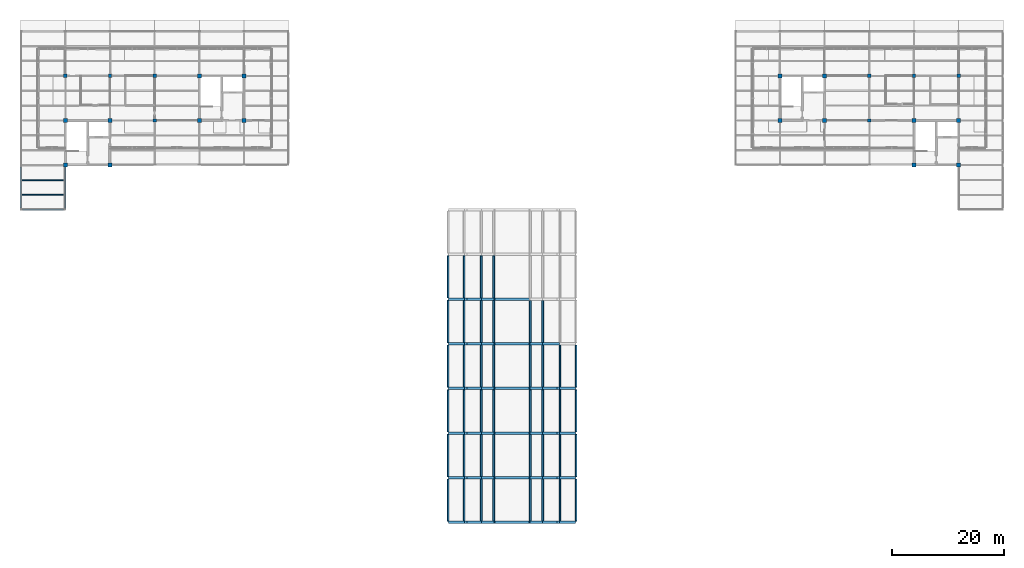
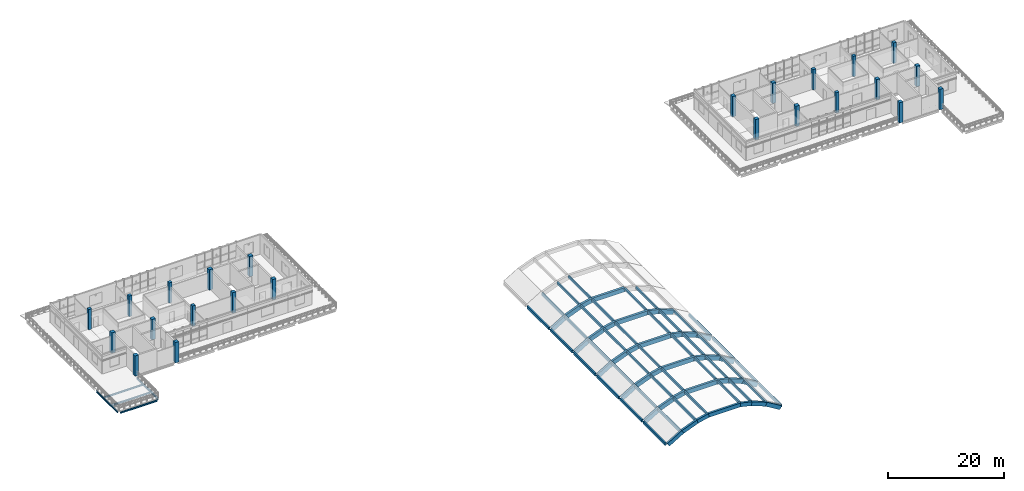
# One storey, part 1 of 24: 85 beams, 24 columns.
"""IFC4 building model written with IfcOpenShell, lengths in metres."""

from ifc_helpers import new_model, si_unit, derived_unit, direction, frame, origin, origin_2d, place, context, subcontext, project, spatial, rectangle, i_section, extrude, material, material_profile, profile_set, type_object, element, save


model = new_model("IFC4")

# Units and contexts
model_context = context("Model", 3, precision=1e-05, world=origin(), true_north=direction((0.0, 1.0)))
body_context = subcontext(model_context, "Body", "Model", "MODEL_VIEW")
ifc_project = project(units=[si_unit("LENGTHUNIT", "METRE"), si_unit("AREAUNIT", "SQUARE_METRE"), si_unit("VOLUMEUNIT", "CUBIC_METRE"), si_unit("PLANEANGLEUNIT", "RADIAN"), si_unit("MASSUNIT", "GRAM", prefix="KILO"), derived_unit("THERMALTRANSMITTANCEUNIT", [(si_unit("MASSUNIT", "GRAM", prefix="KILO"), 1), (si_unit("TIMEUNIT", "SECOND"), -3), (si_unit("THERMODYNAMICTEMPERATUREUNIT", "KELVIN"), -1)])], contexts=[model_context])

# Site, building, storey
site_placement = place(None, origin())
site = spatial("IfcSite", under=ifc_project, at=site_placement, CompositionType="ELEMENT")
building_placement = place(site_placement, origin())
building = spatial("IfcBuilding", under=site, at=building_placement, Name="Veyamyaing Civic Hall", CompositionType="ELEMENT")
storey_placement = place(building_placement, frame((0.0, 0.0, 25.739990234375)))
storey = spatial("IfcBuildingStorey", under=building, at=storey_placement, Name="L06", CompositionType="ELEMENT", Elevation=25.739990234375)

# Columns
ifc_material_1 = material(Name="Concrete C45/55", Category="concrete")
ifc_material_profile_1 = material_profile(ifc_material_1, rectangle(XDim=0.699951171875, YDim=0.699951171875, at=origin_2d()), Name="RC-COL-700X700")
ifc_profile_set_1 = profile_set([ifc_material_profile_1], Name="Concrete C45/55")
column_type_1 = type_object("IfcColumnType", Name="C-04", PredefinedType="COLUMN", material=ifc_profile_set_1)
for number, where, z_axis, x_axis, name in (
    (1, (8.0, 88.0, 0.0), (0.0, 0.0, 1.0), (1.0, 0.0, 0.0), "Column C-04 2-M L06"),
    (2, (8.0, 96.0, 0.0), (0.0, 0.0, 1.0), (1.0, 0.0, 0.0), "Column C-04 2-N L06"),
    (3, (16.0, 88.0, 0.0), (0.0, 0.0, 1.0), (1.0, 0.0, 0.0), "Column C-04 3-M L06"),
    (4, (16.0, 96.0, 0.0), (0.0, 0.0, 1.0), (1.0, 0.0, 0.0), "Column C-04 3-N L06"),
    (5, (32.0, 96.0, 0.0), (0.0, 0.0, 1.0), (1.0, 0.0, 0.0), "Column C-04 5-N L06"),
    (6, (32.0, 104.0, 0.0), (0.0, 0.0, 1.0), (1.0, 0.0, 0.0), "Column C-04 5-P L06"),
    (7, (40.0, 96.0, 0.0), (0.0, 0.0, 1.0), (1.0, 0.0, 0.0), "Column C-04 6-N L06"),
    (8, (40.0, 104.0, 0.0), (0.0, 0.0, 1.0), (1.0, 0.0, 0.0), "Column C-04 6-P L06"),
    (9, (136.0, 96.0, 0.0), (0.0, 0.0, 1.0), (1.0, 0.0, 0.0), "Column C-04 18-N L06"),
    (10, (136.0, 104.0, 0.0), (0.0, 0.0, 1.0), (1.0, 0.0, 0.0), "Column C-04 18-P L06"),
    (11, (144.0, 96.0, 0.0), (0.0, 0.0, 1.0), (1.0, 0.0, 0.0), "Column C-04 19-N L06"),
    (12, (144.0, 104.0, 0.0), (0.0, 0.0, 1.0), (1.0, 0.0, 0.0), "Column C-04 19-P L06"),
    (13, (160.0, 88.0, 0.0), (0.0, 0.0, 1.0), (1.0, 0.0, 0.0), "Column C-04 21-M L06"),
    (14, (160.0, 96.0, 0.0), (0.0, 0.0, 1.0), (1.0, 0.0, 0.0), "Column C-04 21-N L06"),
    (15, (168.0, 88.0, 0.0), (0.0, 0.0, 1.0), (1.0, 0.0, 0.0), "Column C-04 22-M L06"),
    (16, (168.0, 96.0, 0.0), (0.0, 0.0, 1.0), (1.0, 0.0, 0.0), "Column C-04 22-N L06"),
):
    element("IfcColumn", number, at=place(storey_placement, frame(where, z_axis=z_axis, x_axis=x_axis)), inside=storey, type_object=column_type_1, Name=name, PredefinedType="COLUMN", context=body_context, shape_type="SweptSolid", body=[
        extrude(rectangle(XDim=0.699951171875, YDim=0.699951171875, at=origin_2d()), origin(), (0.0, 0.0, 1.0), 4.2900390625),
    ])
ifc_material_profile_2 = material_profile(ifc_material_1, rectangle(XDim=0.60009765625, YDim=0.60009765625, at=origin_2d()), Name="RC-COL-600X600")
ifc_profile_set_2 = profile_set([ifc_material_profile_2], Name="Concrete C45/55")
column_type_2 = type_object("IfcColumnType", Name="C-06", PredefinedType="COLUMN", material=ifc_profile_set_2)
for number, where, z_axis, x_axis, name in (
    (17, (8.0, 104.0, 0.0), (0.0, 0.0, 1.0), (1.0, 0.0, 0.0), "Column C-06 2-P L06"),
    (18, (16.0, 104.0, 0.0), (0.0, 0.0, 1.0), (1.0, 0.0, 0.0), "Column C-06 3-P L06"),
    (19, (24.0, 96.0, 0.0), (0.0, 0.0, 1.0), (1.0, 0.0, 0.0), "Column C-06 4-N L06"),
    (20, (24.0, 104.0, 0.0), (0.0, 0.0, 1.0), (1.0, 0.0, 0.0), "Column C-06 4-P L06"),
    (21, (152.0, 96.0, 0.0), (0.0, 0.0, 1.0), (1.0, 0.0, 0.0), "Column C-06 20-N L06"),
    (22, (152.0, 104.0, 0.0), (0.0, 0.0, 1.0), (1.0, 0.0, 0.0), "Column C-06 20-P L06"),
    (23, (160.0, 104.0, 0.0), (0.0, 0.0, 1.0), (1.0, 0.0, 0.0), "Column C-06 21-P L06"),
    (24, (168.0, 104.0, 0.0), (0.0, 0.0, 1.0), (1.0, 0.0, 0.0), "Column C-06 22-P L06"),
):
    element("IfcColumn", number, at=place(storey_placement, frame(where, z_axis=z_axis, x_axis=x_axis)), inside=storey, type_object=column_type_2, Name=name, PredefinedType="COLUMN", context=body_context, shape_type="SweptSolid", body=[
        extrude(rectangle(XDim=0.60009765625, YDim=0.60009765625, at=origin_2d()), origin(), (0.0, 0.0, 1.0), 4.2900390625),
    ])

# Beams
ifc_material_2 = material(Name="Steel ASTM A992", Category="steel")
ifc_material_profile_3 = material_profile(ifc_material_2, i_section(OverallWidth=0.2041015625, OverallDepth=0.35009765625, WebThickness=0.0078125, FlangeThickness=0.01513671875, FilletRadius=0.010009765625, at=origin_2d()), Name="W360X72")
ifc_profile_set_3 = profile_set([ifc_material_profile_3], Name="Steel ASTM A992")
beam_type_1 = type_object("IfcBeamType", Name="B-11", PredefinedType="SPANDREL", material=ifc_profile_set_3)
for number, where, z_axis, x_axis, name in (
    (25, (0.300048828125, 80.0, -0.405029296875), (1.0, 0.0, 0.0), (0.0, 1.0, 0.0), "Girder B-11 L06 Grid L 1-2"),
    (26, (0.0, 80.300048828125, -0.405029296875), (0.0, 1.0, 0.0), (-1.0, 0.0, 0.0), "Girder B-11 L06 Grid 1 L-M"),
):
    element("IfcBeam", number, at=place(storey_placement, frame(where, z_axis=z_axis, x_axis=x_axis)), inside=storey, type_object=beam_type_1, Name=name, PredefinedType="SPANDREL", context=body_context, shape_type="SweptSolid", body=[
        extrude(i_section(OverallWidth=0.2041015625, OverallDepth=0.35009765625, WebThickness=0.0078125, FlangeThickness=0.01513671875, FilletRadius=0.010009765625, at=origin_2d()), origin(), (0.0, 0.0, 1.0), 7.39990234375),
    ])
ifc_material_profile_4 = material_profile(ifc_material_2, i_section(OverallWidth=0.180908203125, OverallDepth=0.4169921875, WebThickness=0.010986328125, FlangeThickness=0.018310546875, FilletRadius=0.010009765625, at=origin_2d()), Name="W410X85")
ifc_profile_set_4 = profile_set([ifc_material_profile_4], Name="Steel ASTM A992")
beam_type_2 = type_object("IfcBeamType", Name="B-19", PredefinedType="SPANDREL", material=ifc_profile_set_4)
beam_1_placement = place(storey_placement, frame((8.0, 80.300048828125, -0.4384765625), z_axis=(0.0, 1.0, 0.0), x_axis=(-1.0, 0.0, 0.0)))
element("IfcBeam", 27, at=beam_1_placement, inside=storey, type_object=beam_type_2, Name="Girder B-19 L06 Grid 2 L-M", PredefinedType="SPANDREL", context=body_context, shape_type="SweptSolid", body=[
    extrude(i_section(OverallWidth=0.180908203125, OverallDepth=0.4169921875, WebThickness=0.010986328125, FlangeThickness=0.018310546875, FilletRadius=0.010009765625, at=origin_2d()), origin(), (0.0, 0.0, 1.0), 7.349853515625),
])
ifc_material_profile_5 = material_profile(ifc_material_2, i_section(OverallWidth=0.172119140625, OverallDepth=0.35791015625, WebThickness=0.0078125, FlangeThickness=0.01318359375, FilletRadius=0.010009765625, at=origin_2d()), Name="W360X57")
ifc_profile_set_5 = profile_set([ifc_material_profile_5], Name="Steel ASTM A992")
beam_type_3 = type_object("IfcBeamType", Name="J-02", PredefinedType="JOIST", material=ifc_profile_set_5)
for number, where, z_axis, x_axis, name in (
    (28, (0.10009765625, 82.666748046875, -0.408935546875), (1.0, 0.0, 0.0), (0.0, 1.0, 0.0), "Composite floor joist J-02 L06 1.11.1"),
    (29, (0.10009765625, 85.333251953125, -0.408935546875), (1.0, 0.0, 0.0), (0.0, 1.0, 0.0), "Composite floor joist J-02 L06 1.11.2"),
):
    element("IfcBeam", number, at=place(storey_placement, frame(where, z_axis=z_axis, x_axis=x_axis)), inside=storey, type_object=beam_type_3, Name=name, PredefinedType="JOIST", context=body_context, shape_type="SweptSolid", body=[
        extrude(i_section(OverallWidth=0.172119140625, OverallDepth=0.35791015625, WebThickness=0.0078125, FlangeThickness=0.01318359375, FilletRadius=0.010009765625, at=origin_2d()), origin(), (0.0, 0.0, 1.0), 7.8115234375),
    ])
ifc_material_3 = material(Name="Concrete C40/50", Category="concrete")
ifc_material_profile_6 = material_profile(ifc_material_3, rectangle(XDim=0.300048828125, YDim=0.550048828125, at=origin_2d()), Name="RC-COFF-300X550")
ifc_profile_set_6 = profile_set([ifc_material_profile_6], Name="Concrete C40/50")
beam_type_4 = type_object("IfcBeamType", Name="VC-01", PredefinedType="BEAM", material=ifc_profile_set_6)
for number, where, z_axis, x_axis, name in (
    (30, (76.528564453125, 24.22998046875, 0.140380859375), (0.0, 1.0, 0.0), (-1.0, 0.0, 0.0), "Council Chamber Vault Coffer Rib VC-01 S2.B1"),
    (31, (76.528564453125, 32.22998046875, 0.140380859375), (0.0, 1.0, 0.0), (-1.0, 0.0, 0.0), "Council Chamber Vault Coffer Rib VC-01 S2.B2"),
    (32, (76.528564453125, 40.22998046875, 0.140380859375), (0.0, 1.0, 0.0), (-1.0, 0.0, 0.0), "Council Chamber Vault Coffer Rib VC-01 S2.B3"),
    (33, (76.528564453125, 48.22998046875, 0.140380859375), (0.0, 1.0, 0.0), (-1.0, 0.0, 0.0), "Council Chamber Vault Coffer Rib VC-01 S2.B4"),
    (34, (76.528564453125, 56.22998046875, 0.140380859375), (0.0, 1.0, 0.0), (-1.0, 0.0, 0.0), "Council Chamber Vault Coffer Rib VC-01 S2.B5"),
    (35, (76.528564453125, 64.22998046875, 0.140380859375), (0.0, 1.0, 0.0), (-1.0, 0.0, 0.0), "Council Chamber Vault Coffer Rib VC-01 S2.B6"),
    (36, (79.42138671875, 24.22998046875, 1.88232421875), (0.0, 1.0, 0.0), (-1.0, 0.0, 0.0), "Council Chamber Vault Coffer Rib VC-01 S3.B1"),
    (37, (79.42138671875, 32.22998046875, 1.88232421875), (0.0, 1.0, 0.0), (-1.0, 0.0, 0.0), "Council Chamber Vault Coffer Rib VC-01 S3.B2"),
    (38, (79.42138671875, 40.22998046875, 1.88232421875), (0.0, 1.0, 0.0), (-1.0, 0.0, 0.0), "Council Chamber Vault Coffer Rib VC-01 S3.B3"),
    (39, (79.42138671875, 48.22998046875, 1.88232421875), (0.0, 1.0, 0.0), (-1.0, 0.0, 0.0), "Council Chamber Vault Coffer Rib VC-01 S3.B4"),
    (40, (79.42138671875, 56.22998046875, 1.88232421875), (0.0, 1.0, 0.0), (-1.0, 0.0, 0.0), "Council Chamber Vault Coffer Rib VC-01 S3.B5"),
    (41, (79.42138671875, 64.22998046875, 1.88232421875), (0.0, 1.0, 0.0), (-1.0, 0.0, 0.0), "Council Chamber Vault Coffer Rib VC-01 S3.B6"),
    (42, (96.57861328125, 24.22998046875, 1.88232421875), (0.0, 1.0, 0.0), (-1.0, 0.0, 0.0), "Council Chamber Vault Coffer Rib VC-01 S8.B1"),
    (43, (96.57861328125, 32.22998046875, 1.88232421875), (0.0, 1.0, 0.0), (-1.0, 0.0, 0.0), "Council Chamber Vault Coffer Rib VC-01 S8.B2"),
    (44, (96.57861328125, 40.22998046875, 1.88232421875), (0.0, 1.0, 0.0), (-1.0, 0.0, 0.0), "Council Chamber Vault Coffer Rib VC-01 S8.B3"),
    (45, (96.57861328125, 48.22998046875, 1.88232421875), (0.0, 1.0, 0.0), (-1.0, 0.0, 0.0), "Council Chamber Vault Coffer Rib VC-01 S8.B4"),
    (46, (99.471435546875, 24.22998046875, 0.140380859375), (0.0, 1.0, 0.0), (-1.0, 0.0, 0.0), "Council Chamber Vault Coffer Rib VC-01 S9.B1"),
    (47, (99.471435546875, 32.22998046875, 0.140380859375), (0.0, 1.0, 0.0), (-1.0, 0.0, 0.0), "Council Chamber Vault Coffer Rib VC-01 S9.B2"),
    (48, (99.471435546875, 40.22998046875, 0.140380859375), (0.0, 1.0, 0.0), (-1.0, 0.0, 0.0), "Council Chamber Vault Coffer Rib VC-01 S9.B3"),
    (49, (99.471435546875, 48.22998046875, 0.140380859375), (0.0, 1.0, 0.0), (-1.0, 0.0, 0.0), "Council Chamber Vault Coffer Rib VC-01 S9.B4"),
):
    element("IfcBeam", number, at=place(storey_placement, frame(where, z_axis=z_axis, x_axis=x_axis)), inside=storey, type_object=beam_type_4, Name=name, PredefinedType="BEAM", context=body_context, shape_type="SweptSolid", body=[
        extrude(rectangle(XDim=0.300048828125, YDim=0.550048828125, at=origin_2d()), origin(), (0.0, 0.0, 1.0), 7.5400390625),
    ])
ifc_material_profile_7 = material_profile(ifc_material_3, rectangle(XDim=0.280029296875, YDim=0.5, at=origin_2d()), Name="RC-COFF-280X500")
ifc_profile_set_7 = profile_set([ifc_material_profile_7], Name="Concrete C40/50")
beam_type_5 = type_object("IfcBeamType", Name="VC-02", PredefinedType="BEAM", material=ifc_profile_set_7)
for number, where, z_axis, x_axis, name in (
    (50, (82.4873046875, 24.22998046875, 3.106201171875), (0.0, 1.0, 0.0), (-1.0, 0.0, 0.0), "Council Chamber Vault Coffer Rib VC-02 S4.B1"),
    (51, (82.4873046875, 32.22998046875, 3.106201171875), (0.0, 1.0, 0.0), (-1.0, 0.0, 0.0), "Council Chamber Vault Coffer Rib VC-02 S4.B2"),
    (52, (82.4873046875, 40.22998046875, 3.106201171875), (0.0, 1.0, 0.0), (-1.0, 0.0, 0.0), "Council Chamber Vault Coffer Rib VC-02 S4.B3"),
    (53, (82.4873046875, 48.22998046875, 3.106201171875), (0.0, 1.0, 0.0), (-1.0, 0.0, 0.0), "Council Chamber Vault Coffer Rib VC-02 S4.B4"),
    (54, (82.4873046875, 56.22998046875, 3.106201171875), (0.0, 1.0, 0.0), (-1.0, 0.0, 0.0), "Council Chamber Vault Coffer Rib VC-02 S4.B5"),
    (55, (82.4873046875, 64.22998046875, 3.106201171875), (0.0, 1.0, 0.0), (-1.0, 0.0, 0.0), "Council Chamber Vault Coffer Rib VC-02 S4.B6"),
    (56, (84.7333984375, 24.22998046875, 3.630126953125), (0.0, 1.0, 0.0), (-1.0, 0.0, 0.0), "Council Chamber Vault Coffer Rib VC-02 S5.B1"),
    (57, (84.7333984375, 32.22998046875, 3.630126953125), (0.0, 1.0, 0.0), (-1.0, 0.0, 0.0), "Council Chamber Vault Coffer Rib VC-02 S5.B2"),
    (58, (84.7333984375, 40.22998046875, 3.630126953125), (0.0, 1.0, 0.0), (-1.0, 0.0, 0.0), "Council Chamber Vault Coffer Rib VC-02 S5.B3"),
    (59, (84.7333984375, 48.22998046875, 3.630126953125), (0.0, 1.0, 0.0), (-1.0, 0.0, 0.0), "Council Chamber Vault Coffer Rib VC-02 S5.B4"),
    (60, (84.7333984375, 56.22998046875, 3.630126953125), (0.0, 1.0, 0.0), (-1.0, 0.0, 0.0), "Council Chamber Vault Coffer Rib VC-02 S5.B5"),
    (61, (84.7333984375, 64.22998046875, 3.630126953125), (0.0, 1.0, 0.0), (-1.0, 0.0, 0.0), "Council Chamber Vault Coffer Rib VC-02 S5.B6"),
    (62, (91.2666015625, 24.22998046875, 3.630126953125), (0.0, 1.0, 0.0), (-1.0, 0.0, 0.0), "Council Chamber Vault Coffer Rib VC-02 S6.B1"),
    (63, (91.2666015625, 32.22998046875, 3.630126953125), (0.0, 1.0, 0.0), (-1.0, 0.0, 0.0), "Council Chamber Vault Coffer Rib VC-02 S6.B2"),
    (64, (91.2666015625, 40.22998046875, 3.630126953125), (0.0, 1.0, 0.0), (-1.0, 0.0, 0.0), "Council Chamber Vault Coffer Rib VC-02 S6.B3"),
    (65, (91.2666015625, 48.22998046875, 3.630126953125), (0.0, 1.0, 0.0), (-1.0, 0.0, 0.0), "Council Chamber Vault Coffer Rib VC-02 S6.B4"),
    (66, (91.2666015625, 56.22998046875, 3.630126953125), (0.0, 1.0, 0.0), (-1.0, 0.0, 0.0), "Council Chamber Vault Coffer Rib VC-02 S6.B5"),
    (67, (93.5126953125, 24.22998046875, 3.106201171875), (0.0, 1.0, 0.0), (-1.0, 0.0, 0.0), "Council Chamber Vault Coffer Rib VC-02 S7.B1"),
    (68, (93.5126953125, 32.22998046875, 3.106201171875), (0.0, 1.0, 0.0), (-1.0, 0.0, 0.0), "Council Chamber Vault Coffer Rib VC-02 S7.B2"),
    (69, (93.5126953125, 40.22998046875, 3.106201171875), (0.0, 1.0, 0.0), (-1.0, 0.0, 0.0), "Council Chamber Vault Coffer Rib VC-02 S7.B3"),
    (70, (93.5126953125, 48.22998046875, 3.106201171875), (0.0, 1.0, 0.0), (-1.0, 0.0, 0.0), "Council Chamber Vault Coffer Rib VC-02 S7.B4"),
    (71, (93.5126953125, 56.22998046875, 3.106201171875), (0.0, 1.0, 0.0), (-1.0, 0.0, 0.0), "Council Chamber Vault Coffer Rib VC-02 S7.B5"),
):
    element("IfcBeam", number, at=place(storey_placement, frame(where, z_axis=z_axis, x_axis=x_axis)), inside=storey, type_object=beam_type_5, Name=name, PredefinedType="BEAM", context=body_context, shape_type="SweptSolid", body=[
        extrude(rectangle(XDim=0.280029296875, YDim=0.5, at=origin_2d()), origin(), (0.0, 0.0, 1.0), 7.5400390625),
    ])
ifc_material_profile_8 = material_profile(ifc_material_3, rectangle(XDim=0.449951171875, YDim=0.89990234375, at=origin_2d()), Name="RC-ARCH-450X900")
ifc_profile_set_8 = profile_set([ifc_material_profile_8], Name="Concrete C40/50")
beam_type_6 = type_object("IfcBeamType", Name="VR-01", PredefinedType="BEAM", material=ifc_profile_set_8)
beam_2_placement = place(storey_placement, frame((76.84326171875, 32.0, 0.052734375), z_axis=(0.856643337031, 0.0, 0.515909093852), x_axis=(0.0, 1.0, 0.0)))
element("IfcBeam", 72, at=beam_2_placement, inside=storey, type_object=beam_type_6, Name="Council Chamber Vault Arch Rib VR-01 R2.F3", PredefinedType="BEAM", context=body_context, shape_type="SweptSolid", body=[
    extrude(rectangle(XDim=0.449951171875, YDim=0.89990234375, at=origin_2d()), origin(), (0.0, 0.0, 1.0), 3.376953125),
])
beam_3_placement = place(storey_placement, frame((79.643310546875, 32.0, 1.749267578125), z_axis=(0.931353244808, 0.0, 0.364116922685), x_axis=(0.0, 1.0, 0.0)))
element("IfcBeam", 73, at=beam_3_placement, inside=storey, type_object=beam_type_6, Name="Council Chamber Vault Arch Rib VR-01 R2.F4", PredefinedType="BEAM", context=body_context, shape_type="SweptSolid", body=[
    extrude(rectangle(XDim=0.449951171875, YDim=0.89990234375, at=origin_2d()), origin(), (0.0, 0.0, 1.0), 3.292236328125),
])
beam_4_placement = place(storey_placement, frame((82.625732421875, 32.0, 2.922119140625), z_axis=(0.973885693077, 0.0, 0.227038888344), x_axis=(0.0, 1.0, 0.0)))
element("IfcBeam", 74, at=beam_4_placement, inside=storey, type_object=beam_type_6, Name="Council Chamber Vault Arch Rib VR-01 R2.F5", PredefinedType="BEAM", context=body_context, shape_type="SweptSolid", body=[
    extrude(rectangle(XDim=0.449951171875, YDim=0.89990234375, at=origin_2d()), origin(), (0.0, 0.0, 1.0), 2.306640625),
])
beam_5_placement = place(storey_placement, frame((84.7333984375, 32.0, 3.429931640625), z_axis=(1.0, 0.0, 0.0), x_axis=(0.0, 1.0, 0.0)))
element("IfcBeam", 75, at=beam_5_placement, inside=storey, type_object=beam_type_6, Name="Council Chamber Vault Arch Rib VR-01 R2.F6", PredefinedType="BEAM", context=body_context, shape_type="SweptSolid", body=[
    extrude(rectangle(XDim=0.449951171875, YDim=0.89990234375, at=origin_2d()), origin(), (0.0, 0.0, 1.0), 6.533203125),
])
beam_6_placement = place(storey_placement, frame((91.1279296875, 32.0, 3.44580078125), z_axis=(0.973885693077, 0.0, -0.227038888344), x_axis=(0.0, 1.0, 0.0)))
element("IfcBeam", 76, at=beam_6_placement, inside=storey, type_object=beam_type_6, Name="Council Chamber Vault Arch Rib VR-01 R2.F7", PredefinedType="BEAM", context=body_context, shape_type="SweptSolid", body=[
    extrude(rectangle(XDim=0.449951171875, YDim=0.89990234375, at=origin_2d()), origin(), (0.0, 0.0, 1.0), 2.306640625),
])
beam_7_placement = place(storey_placement, frame((93.29052734375, 32.0, 2.947998046875), z_axis=(0.931353244808, 0.0, -0.364116922685), x_axis=(0.0, 1.0, 0.0)))
element("IfcBeam", 77, at=beam_7_placement, inside=storey, type_object=beam_type_6, Name="Council Chamber Vault Arch Rib VR-01 R2.F8", PredefinedType="BEAM", context=body_context, shape_type="SweptSolid", body=[
    extrude(rectangle(XDim=0.449951171875, YDim=0.89990234375, at=origin_2d()), origin(), (0.0, 0.0, 1.0), 3.292236328125),
])
for number, where, z_axis, x_axis, name in (
    (78, (96.263916015625, 32.0, 1.794921875), (0.856643337031, 0.0, -0.515909093852), (0.0, 1.0, 0.0), "Council Chamber Vault Arch Rib VR-01 R2.F9"),
    (79, (76.84326171875, 40.0, 0.052734375), (0.856643337031, 0.0, 0.515909093852), (0.0, 1.0, 0.0), "Council Chamber Vault Arch Rib VR-01 R3.F3"),
):
    element("IfcBeam", number, at=place(storey_placement, frame(where, z_axis=z_axis, x_axis=x_axis)), inside=storey, type_object=beam_type_6, Name=name, PredefinedType="BEAM", context=body_context, shape_type="SweptSolid", body=[
        extrude(rectangle(XDim=0.449951171875, YDim=0.89990234375, at=origin_2d()), origin(), (0.0, 0.0, 1.0), 3.376953125),
    ])
beam_8_placement = place(storey_placement, frame((79.643310546875, 40.0, 1.749267578125), z_axis=(0.931353244808, 0.0, 0.364116922685), x_axis=(0.0, 1.0, 0.0)))
element("IfcBeam", 80, at=beam_8_placement, inside=storey, type_object=beam_type_6, Name="Council Chamber Vault Arch Rib VR-01 R3.F4", PredefinedType="BEAM", context=body_context, shape_type="SweptSolid", body=[
    extrude(rectangle(XDim=0.449951171875, YDim=0.89990234375, at=origin_2d()), origin(), (0.0, 0.0, 1.0), 3.292236328125),
])
beam_9_placement = place(storey_placement, frame((82.625732421875, 40.0, 2.922119140625), z_axis=(0.973885693077, 0.0, 0.227038888344), x_axis=(0.0, 1.0, 0.0)))
element("IfcBeam", 81, at=beam_9_placement, inside=storey, type_object=beam_type_6, Name="Council Chamber Vault Arch Rib VR-01 R3.F5", PredefinedType="BEAM", context=body_context, shape_type="SweptSolid", body=[
    extrude(rectangle(XDim=0.449951171875, YDim=0.89990234375, at=origin_2d()), origin(), (0.0, 0.0, 1.0), 2.306640625),
])
beam_10_placement = place(storey_placement, frame((84.7333984375, 40.0, 3.429931640625), z_axis=(1.0, 0.0, 0.0), x_axis=(0.0, 1.0, 0.0)))
element("IfcBeam", 82, at=beam_10_placement, inside=storey, type_object=beam_type_6, Name="Council Chamber Vault Arch Rib VR-01 R3.F6", PredefinedType="BEAM", context=body_context, shape_type="SweptSolid", body=[
    extrude(rectangle(XDim=0.449951171875, YDim=0.89990234375, at=origin_2d()), origin(), (0.0, 0.0, 1.0), 6.533203125),
])
beam_11_placement = place(storey_placement, frame((91.1279296875, 40.0, 3.44580078125), z_axis=(0.973885693077, 0.0, -0.227038888344), x_axis=(0.0, 1.0, 0.0)))
element("IfcBeam", 83, at=beam_11_placement, inside=storey, type_object=beam_type_6, Name="Council Chamber Vault Arch Rib VR-01 R3.F7", PredefinedType="BEAM", context=body_context, shape_type="SweptSolid", body=[
    extrude(rectangle(XDim=0.449951171875, YDim=0.89990234375, at=origin_2d()), origin(), (0.0, 0.0, 1.0), 2.306640625),
])
beam_12_placement = place(storey_placement, frame((93.29052734375, 40.0, 2.947998046875), z_axis=(0.931353244808, 0.0, -0.364116922685), x_axis=(0.0, 1.0, 0.0)))
element("IfcBeam", 84, at=beam_12_placement, inside=storey, type_object=beam_type_6, Name="Council Chamber Vault Arch Rib VR-01 R3.F8", PredefinedType="BEAM", context=body_context, shape_type="SweptSolid", body=[
    extrude(rectangle(XDim=0.449951171875, YDim=0.89990234375, at=origin_2d()), origin(), (0.0, 0.0, 1.0), 3.292236328125),
])
for number, where, z_axis, x_axis, name in (
    (85, (96.263916015625, 40.0, 1.794921875), (0.856643337031, 0.0, -0.515909093852), (0.0, 1.0, 0.0), "Council Chamber Vault Arch Rib VR-01 R3.F9"),
    (86, (76.84326171875, 48.0, 0.052734375), (0.856643337031, 0.0, 0.515909093852), (0.0, 1.0, 0.0), "Council Chamber Vault Arch Rib VR-01 R4.F3"),
):
    element("IfcBeam", number, at=place(storey_placement, frame(where, z_axis=z_axis, x_axis=x_axis)), inside=storey, type_object=beam_type_6, Name=name, PredefinedType="BEAM", context=body_context, shape_type="SweptSolid", body=[
        extrude(rectangle(XDim=0.449951171875, YDim=0.89990234375, at=origin_2d()), origin(), (0.0, 0.0, 1.0), 3.376953125),
    ])
beam_13_placement = place(storey_placement, frame((79.643310546875, 48.0, 1.749267578125), z_axis=(0.931353244808, 0.0, 0.364116922685), x_axis=(0.0, 1.0, 0.0)))
element("IfcBeam", 87, at=beam_13_placement, inside=storey, type_object=beam_type_6, Name="Council Chamber Vault Arch Rib VR-01 R4.F4", PredefinedType="BEAM", context=body_context, shape_type="SweptSolid", body=[
    extrude(rectangle(XDim=0.449951171875, YDim=0.89990234375, at=origin_2d()), origin(), (0.0, 0.0, 1.0), 3.292236328125),
])
beam_14_placement = place(storey_placement, frame((82.625732421875, 48.0, 2.922119140625), z_axis=(0.973885693077, 0.0, 0.227038888344), x_axis=(0.0, 1.0, 0.0)))
element("IfcBeam", 88, at=beam_14_placement, inside=storey, type_object=beam_type_6, Name="Council Chamber Vault Arch Rib VR-01 R4.F5", PredefinedType="BEAM", context=body_context, shape_type="SweptSolid", body=[
    extrude(rectangle(XDim=0.449951171875, YDim=0.89990234375, at=origin_2d()), origin(), (0.0, 0.0, 1.0), 2.306640625),
])
beam_15_placement = place(storey_placement, frame((84.7333984375, 48.0, 3.429931640625), z_axis=(1.0, 0.0, 0.0), x_axis=(0.0, 1.0, 0.0)))
element("IfcBeam", 89, at=beam_15_placement, inside=storey, type_object=beam_type_6, Name="Council Chamber Vault Arch Rib VR-01 R4.F6", PredefinedType="BEAM", context=body_context, shape_type="SweptSolid", body=[
    extrude(rectangle(XDim=0.449951171875, YDim=0.89990234375, at=origin_2d()), origin(), (0.0, 0.0, 1.0), 6.533203125),
])
beam_16_placement = place(storey_placement, frame((91.1279296875, 48.0, 3.44580078125), z_axis=(0.973885693077, 0.0, -0.227038888344), x_axis=(0.0, 1.0, 0.0)))
element("IfcBeam", 90, at=beam_16_placement, inside=storey, type_object=beam_type_6, Name="Council Chamber Vault Arch Rib VR-01 R4.F7", PredefinedType="BEAM", context=body_context, shape_type="SweptSolid", body=[
    extrude(rectangle(XDim=0.449951171875, YDim=0.89990234375, at=origin_2d()), origin(), (0.0, 0.0, 1.0), 2.306640625),
])
beam_17_placement = place(storey_placement, frame((93.29052734375, 48.0, 2.947998046875), z_axis=(0.931353244808, 0.0, -0.364116922685), x_axis=(0.0, 1.0, 0.0)))
element("IfcBeam", 91, at=beam_17_placement, inside=storey, type_object=beam_type_6, Name="Council Chamber Vault Arch Rib VR-01 R4.F8", PredefinedType="BEAM", context=body_context, shape_type="SweptSolid", body=[
    extrude(rectangle(XDim=0.449951171875, YDim=0.89990234375, at=origin_2d()), origin(), (0.0, 0.0, 1.0), 3.292236328125),
])
for number, where, z_axis, x_axis, name in (
    (92, (96.263916015625, 48.0, 1.794921875), (0.856643337031, 0.0, -0.515909093852), (0.0, 1.0, 0.0), "Council Chamber Vault Arch Rib VR-01 R4.F9"),
    (93, (76.84326171875, 56.0, 0.052734375), (0.856643337031, 0.0, 0.515909093852), (0.0, 1.0, 0.0), "Council Chamber Vault Arch Rib VR-01 R5.F3"),
):
    element("IfcBeam", number, at=place(storey_placement, frame(where, z_axis=z_axis, x_axis=x_axis)), inside=storey, type_object=beam_type_6, Name=name, PredefinedType="BEAM", context=body_context, shape_type="SweptSolid", body=[
        extrude(rectangle(XDim=0.449951171875, YDim=0.89990234375, at=origin_2d()), origin(), (0.0, 0.0, 1.0), 3.376953125),
    ])
beam_18_placement = place(storey_placement, frame((79.643310546875, 56.0, 1.749267578125), z_axis=(0.931353244808, 0.0, 0.364116922685), x_axis=(0.0, 1.0, 0.0)))
element("IfcBeam", 94, at=beam_18_placement, inside=storey, type_object=beam_type_6, Name="Council Chamber Vault Arch Rib VR-01 R5.F4", PredefinedType="BEAM", context=body_context, shape_type="SweptSolid", body=[
    extrude(rectangle(XDim=0.449951171875, YDim=0.89990234375, at=origin_2d()), origin(), (0.0, 0.0, 1.0), 3.292236328125),
])
beam_19_placement = place(storey_placement, frame((82.625732421875, 56.0, 2.922119140625), z_axis=(0.973885693077, 0.0, 0.227038888344), x_axis=(0.0, 1.0, 0.0)))
element("IfcBeam", 95, at=beam_19_placement, inside=storey, type_object=beam_type_6, Name="Council Chamber Vault Arch Rib VR-01 R5.F5", PredefinedType="BEAM", context=body_context, shape_type="SweptSolid", body=[
    extrude(rectangle(XDim=0.449951171875, YDim=0.89990234375, at=origin_2d()), origin(), (0.0, 0.0, 1.0), 2.306640625),
])
beam_20_placement = place(storey_placement, frame((84.7333984375, 56.0, 3.429931640625), z_axis=(1.0, 0.0, 0.0), x_axis=(0.0, 1.0, 0.0)))
element("IfcBeam", 96, at=beam_20_placement, inside=storey, type_object=beam_type_6, Name="Council Chamber Vault Arch Rib VR-01 R5.F6", PredefinedType="BEAM", context=body_context, shape_type="SweptSolid", body=[
    extrude(rectangle(XDim=0.449951171875, YDim=0.89990234375, at=origin_2d()), origin(), (0.0, 0.0, 1.0), 6.533203125),
])
beam_21_placement = place(storey_placement, frame((91.1279296875, 56.0, 3.44580078125), z_axis=(0.973885693077, 0.0, -0.227038888344), x_axis=(0.0, 1.0, 0.0)))
element("IfcBeam", 97, at=beam_21_placement, inside=storey, type_object=beam_type_6, Name="Council Chamber Vault Arch Rib VR-01 R5.F7", PredefinedType="BEAM", context=body_context, shape_type="SweptSolid", body=[
    extrude(rectangle(XDim=0.449951171875, YDim=0.89990234375, at=origin_2d()), origin(), (0.0, 0.0, 1.0), 2.306640625),
])
beam_22_placement = place(storey_placement, frame((93.29052734375, 56.0, 2.947998046875), z_axis=(0.931353244808, 0.0, -0.364116922685), x_axis=(0.0, 1.0, 0.0)))
element("IfcBeam", 98, at=beam_22_placement, inside=storey, type_object=beam_type_6, Name="Council Chamber Vault Arch Rib VR-01 R5.F8", PredefinedType="BEAM", context=body_context, shape_type="SweptSolid", body=[
    extrude(rectangle(XDim=0.449951171875, YDim=0.89990234375, at=origin_2d()), origin(), (0.0, 0.0, 1.0), 3.292236328125),
])
beam_23_placement = place(storey_placement, frame((76.84326171875, 64.0, 0.052734375), z_axis=(0.856643337031, 0.0, 0.515909093852), x_axis=(0.0, 1.0, 0.0)))
element("IfcBeam", 99, at=beam_23_placement, inside=storey, type_object=beam_type_6, Name="Council Chamber Vault Arch Rib VR-01 R6.F3", PredefinedType="BEAM", context=body_context, shape_type="SweptSolid", body=[
    extrude(rectangle(XDim=0.449951171875, YDim=0.89990234375, at=origin_2d()), origin(), (0.0, 0.0, 1.0), 3.376953125),
])
beam_24_placement = place(storey_placement, frame((79.643310546875, 64.0, 1.749267578125), z_axis=(0.931353244808, 0.0, 0.364116922685), x_axis=(0.0, 1.0, 0.0)))
element("IfcBeam", 100, at=beam_24_placement, inside=storey, type_object=beam_type_6, Name="Council Chamber Vault Arch Rib VR-01 R6.F4", PredefinedType="BEAM", context=body_context, shape_type="SweptSolid", body=[
    extrude(rectangle(XDim=0.449951171875, YDim=0.89990234375, at=origin_2d()), origin(), (0.0, 0.0, 1.0), 3.292236328125),
])
beam_25_placement = place(storey_placement, frame((82.625732421875, 64.0, 2.922119140625), z_axis=(0.973885693077, 0.0, 0.227038888344), x_axis=(0.0, 1.0, 0.0)))
element("IfcBeam", 101, at=beam_25_placement, inside=storey, type_object=beam_type_6, Name="Council Chamber Vault Arch Rib VR-01 R6.F5", PredefinedType="BEAM", context=body_context, shape_type="SweptSolid", body=[
    extrude(rectangle(XDim=0.449951171875, YDim=0.89990234375, at=origin_2d()), origin(), (0.0, 0.0, 1.0), 2.306640625),
])
beam_26_placement = place(storey_placement, frame((84.7333984375, 64.0, 3.429931640625), z_axis=(1.0, 0.0, 0.0), x_axis=(0.0, 1.0, 0.0)))
element("IfcBeam", 102, at=beam_26_placement, inside=storey, type_object=beam_type_6, Name="Council Chamber Vault Arch Rib VR-01 R6.F6", PredefinedType="BEAM", context=body_context, shape_type="SweptSolid", body=[
    extrude(rectangle(XDim=0.449951171875, YDim=0.89990234375, at=origin_2d()), origin(), (0.0, 0.0, 1.0), 6.533203125),
])
ifc_material_profile_9 = material_profile(ifc_material_3, rectangle(XDim=0.449951171875, YDim=0.800048828125, at=origin_2d()), Name="RC-ARCH-450X800")
ifc_profile_set_9 = profile_set([ifc_material_profile_9], Name="Concrete C40/50")
beam_type_7 = type_object("IfcBeamType", Name="VR-02", PredefinedType="BEAM", material=ifc_profile_set_9)
beam_27_placement = place(storey_placement, frame((76.8173828125, 24.0, 0.095703125), z_axis=(0.856675288103, 0.0, 0.515856036848), x_axis=(0.0, 1.0, 0.0)))
element("IfcBeam", 103, at=beam_27_placement, inside=storey, type_object=beam_type_7, Name="Council Chamber Vault Arch Rib VR-02 R1.F3", PredefinedType="BEAM", context=body_context, shape_type="SweptSolid", body=[
    extrude(rectangle(XDim=0.449951171875, YDim=0.800048828125, at=origin_2d()), origin(), (0.0, 0.0, 1.0), 3.376708984375),
])
beam_28_placement = place(storey_placement, frame((79.625244140625, 24.0, 1.7958984375), z_axis=(0.931343411807, 0.0, 0.364142072939), x_axis=(0.0, 1.0, 0.0)))
element("IfcBeam", 104, at=beam_28_placement, inside=storey, type_object=beam_type_7, Name="Council Chamber Vault Arch Rib VR-02 R1.F4", PredefinedType="BEAM", context=body_context, shape_type="SweptSolid", body=[
    extrude(rectangle(XDim=0.449951171875, YDim=0.800048828125, at=origin_2d()), origin(), (0.0, 0.0, 1.0), 3.2919921875),
])
beam_29_placement = place(storey_placement, frame((82.614501953125, 24.0, 2.970703125), z_axis=(0.973856823417, 0.0, 0.227162689462), x_axis=(0.0, 1.0, 0.0)))
element("IfcBeam", 105, at=beam_29_placement, inside=storey, type_object=beam_type_7, Name="Council Chamber Vault Arch Rib VR-02 R1.F5", PredefinedType="BEAM", context=body_context, shape_type="SweptSolid", body=[
    extrude(rectangle(XDim=0.449951171875, YDim=0.800048828125, at=origin_2d()), origin(), (0.0, 0.0, 1.0), 2.306396484375),
])
beam_30_placement = place(storey_placement, frame((84.7333984375, 24.0, 3.47998046875), z_axis=(1.0, 0.0, 0.0), x_axis=(0.0, 1.0, 0.0)))
element("IfcBeam", 106, at=beam_30_placement, inside=storey, type_object=beam_type_7, Name="Council Chamber Vault Arch Rib VR-02 R1.F6", PredefinedType="BEAM", context=body_context, shape_type="SweptSolid", body=[
    extrude(rectangle(XDim=0.449951171875, YDim=0.800048828125, at=origin_2d()), origin(), (0.0, 0.0, 1.0), 6.533203125),
])
beam_31_placement = place(storey_placement, frame((91.139404296875, 24.0, 3.49462890625), z_axis=(0.973856823417, 0.0, -0.227162689462), x_axis=(0.0, 1.0, 0.0)))
element("IfcBeam", 107, at=beam_31_placement, inside=storey, type_object=beam_type_7, Name="Council Chamber Vault Arch Rib VR-02 R1.F7", PredefinedType="BEAM", context=body_context, shape_type="SweptSolid", body=[
    extrude(rectangle(XDim=0.449951171875, YDim=0.800048828125, at=origin_2d()), origin(), (0.0, 0.0, 1.0), 2.306396484375),
])
beam_32_placement = place(storey_placement, frame((93.308837890625, 24.0, 2.99462890625), z_axis=(0.931343411807, 0.0, -0.364142072939), x_axis=(0.0, 1.0, 0.0)))
element("IfcBeam", 108, at=beam_32_placement, inside=storey, type_object=beam_type_7, Name="Council Chamber Vault Arch Rib VR-02 R1.F8", PredefinedType="BEAM", context=body_context, shape_type="SweptSolid", body=[
    extrude(rectangle(XDim=0.449951171875, YDim=0.800048828125, at=origin_2d()), origin(), (0.0, 0.0, 1.0), 3.2919921875),
])
beam_33_placement = place(storey_placement, frame((96.289794921875, 24.0, 1.837646484375), z_axis=(0.856675288103, 0.0, -0.515856036848), x_axis=(0.0, 1.0, 0.0)))
element("IfcBeam", 109, at=beam_33_placement, inside=storey, type_object=beam_type_7, Name="Council Chamber Vault Arch Rib VR-02 R1.F9", PredefinedType="BEAM", context=body_context, shape_type="SweptSolid", body=[
    extrude(rectangle(XDim=0.449951171875, YDim=0.800048828125, at=origin_2d()), origin(), (0.0, 0.0, 1.0), 3.376708984375),
])

save(model, "model.ifc")
